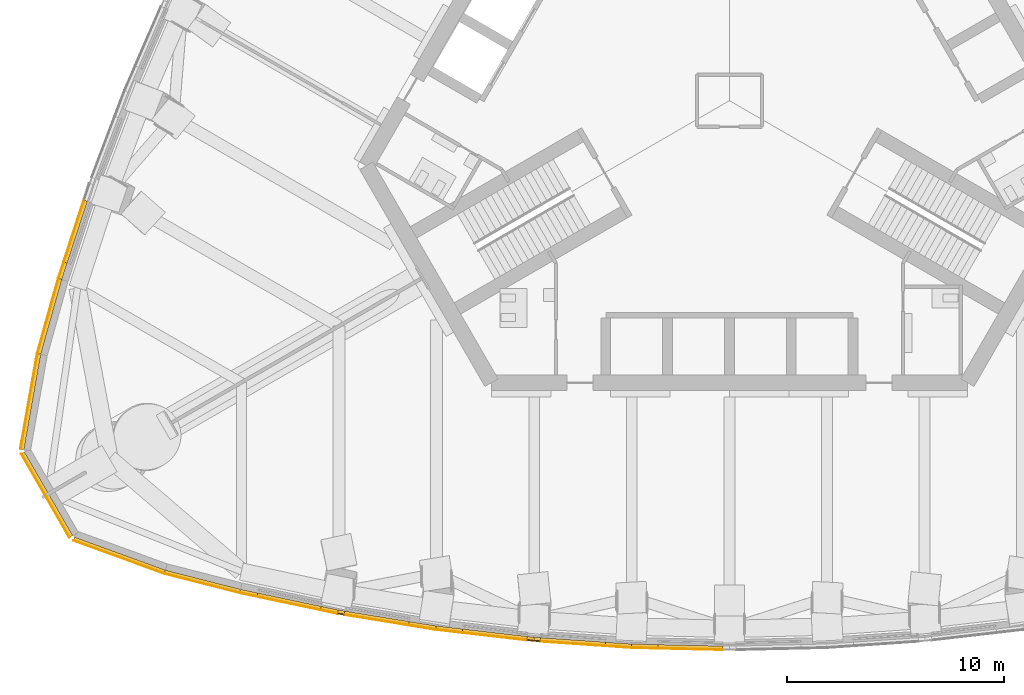
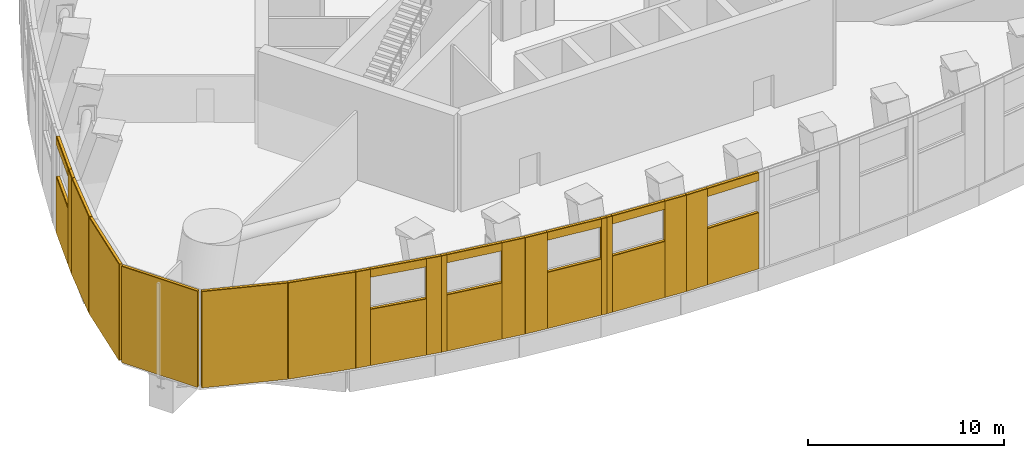
# One storey, part 11 of 22: 54 coverings.
"""IFC4 building model written with IfcOpenShell, lengths in metres."""

from ifc_helpers import new_model, si_unit, direction, frame, origin, origin_2d, place, context, subcontext, project, spatial, rectangle, extrude, material, layer, layer_set, type_object, element, save


model = new_model("IFC4")

# Units and contexts
model_context = context("Model", 3, precision=1e-05, world=origin(), true_north=direction((0.0, 1.0)))
body_context = subcontext(model_context, "Body", "Model", "MODEL_VIEW")
ifc_project = project(units=[si_unit("LENGTHUNIT", "METRE"), si_unit("AREAUNIT", "SQUARE_METRE"), si_unit("VOLUMEUNIT", "CUBIC_METRE"), si_unit("PLANEANGLEUNIT", "RADIAN"), si_unit("MASSUNIT", "GRAM", prefix="KILO")], contexts=[model_context])

# Site, building, storey
site_placement = place(None, origin())
site = spatial("IfcSite", under=ifc_project, at=site_placement, CompositionType="ELEMENT")
building_placement = place(site_placement, origin())
building = spatial("IfcBuilding", under=site, at=building_placement, Name="Trefoil Bronze Tower", CompositionType="ELEMENT")
storey_placement = place(building_placement, frame((0.0, 0.0, 265.300048828125)))
storey = spatial("IfcBuildingStorey", under=building, at=storey_placement, Name="L61", CompositionType="ELEMENT", Elevation=265.300048828125)

# Coverings
ifc_material_1 = material(Name="Bronze-finish aluminium rainscreen panel on aluminium rails", Category="aluminium")
ifc_layer_1 = layer(ifc_material_1, 0.0400390625)
ifc_layer_set_1 = layer_set([ifc_layer_1], Name="Bronze cladding panel 40")
covering_type_1 = type_object("IfcCoveringType", Name="Bronze cladding panel 40", PredefinedType="CLADDING", material=ifc_layer_set_1)
covering_1_placement = place(storey_placement, frame((-24.3056640625, -22.25146484375, 0.0), z_axis=(0.0, 0.0, 1.0), x_axis=(0.968934035402, -0.247319297752, 0.0)))
element("IfcCovering", 1, at=covering_1_placement, inside=storey, type_object=covering_type_1, Name="Cladding panel L61 Face 1.1 piece 1", PredefinedType="CLADDING", context=body_context, shape_type="SweptSolid", body=[
    extrude(rectangle(XDim=3.563720703125, YDim=0.0400390625, at=origin_2d()), origin(), (0.0, 0.0, 1.0), 6.0),
])
for number, where, z_axis, x_axis, name in (
    (2, (-22.175048828125, -22.77783203125, 0.0), (0.0, 0.0, 1.0), (0.97839433593, -0.206747487096, 0.0), "Cladding panel L61 Face 1.2 piece 1"),
    (3, (-18.457275390625, -23.563232421875, 0.0), (0.0, 0.0, 1.0), (0.97839433593, -0.206747487096, 0.0), "Cladding panel L61 Face 1.2 piece 2"),
):
    element("IfcCovering", number, at=place(storey_placement, frame(where, z_axis=z_axis, x_axis=x_axis)), inside=storey, type_object=covering_type_1, Name=name, PredefinedType="CLADDING", context=body_context, shape_type="SweptSolid", body=[
        extrude(rectangle(XDim=0.7998046875, YDim=0.0400390625, at=origin_2d()), origin(), (0.0, 0.0, 1.0), 6.0),
    ])
covering_2_placement = place(storey_placement, frame((-20.316162109375, -23.170654296875, 0.0), z_axis=(0.0, 0.0, 1.0), x_axis=(0.97839433593, -0.206747487096, 0.0)))
element("IfcCovering", 4, at=covering_2_placement, inside=storey, type_object=covering_type_1, Name="Cladding panel L61 Face 1.2 piece 3", PredefinedType="CLADDING", context=body_context, shape_type="SweptSolid", body=[
    extrude(rectangle(XDim=3.0, YDim=0.0400390625, at=origin_2d()), origin(), (0.0, 0.0, 1.0), 3.5),
])
covering_3_placement = place(storey_placement, frame((-20.316162109375, -23.170654296875, 5.5), z_axis=(0.0, 0.0, 1.0), x_axis=(0.97839433593, -0.206747487096, 0.0)))
element("IfcCovering", 5, at=covering_3_placement, inside=storey, type_object=covering_type_1, Name="Cladding panel L61 Face 1.2 piece 4", PredefinedType="CLADDING", context=body_context, shape_type="SweptSolid", body=[
    extrude(rectangle(XDim=3.0, YDim=0.0400390625, at=origin_2d()), origin(), (0.0, 0.0, 1.0), 0.5),
])
covering_4_placement = place(storey_placement, frame((-17.9033203125, -23.6728515625, 0.0), z_axis=(0.0, 0.0, 1.0), x_axis=(0.986986549525, -0.160802832865, 0.0)))
element("IfcCovering", 6, at=covering_4_placement, inside=storey, type_object=covering_type_1, Name="Cladding panel L61 Face 1.3 piece 1", PredefinedType="CLADDING", context=body_context, shape_type="SweptSolid", body=[
    extrude(rectangle(XDim=0.300048828125, YDim=0.0400390625, at=origin_2d()), origin(), (0.0, 0.0, 1.0), 6.0),
])
covering_5_placement = place(storey_placement, frame((-14.1728515625, -24.28076171875, 0.0), z_axis=(0.0, 0.0, 1.0), x_axis=(0.986986549525, -0.160802832865, 0.0)))
element("IfcCovering", 7, at=covering_5_placement, inside=storey, type_object=covering_type_1, Name="Cladding panel L61 Face 1.3 piece 2", PredefinedType="CLADDING", context=body_context, shape_type="SweptSolid", body=[
    extrude(rectangle(XDim=1.25927734375, YDim=0.0400390625, at=origin_2d()), origin(), (0.0, 0.0, 1.0), 6.0),
])
covering_6_placement = place(storey_placement, frame((-16.27490234375, -23.938232421875, 0.0), z_axis=(0.0, 0.0, 1.0), x_axis=(0.986986549525, -0.160802832865, 0.0)))
element("IfcCovering", 8, at=covering_6_placement, inside=storey, type_object=covering_type_1, Name="Cladding panel L61 Face 1.3 piece 3", PredefinedType="CLADDING", context=body_context, shape_type="SweptSolid", body=[
    extrude(rectangle(XDim=3.0, YDim=0.0400390625, at=origin_2d()), origin(), (0.0, 0.0, 1.0), 3.5),
])
covering_7_placement = place(storey_placement, frame((-16.27490234375, -23.938232421875, 5.5), z_axis=(0.0, 0.0, 1.0), x_axis=(0.986986549525, -0.160802832865, 0.0)))
element("IfcCovering", 9, at=covering_7_placement, inside=storey, type_object=covering_type_1, Name="Cladding panel L61 Face 1.3 piece 4", PredefinedType="CLADDING", context=body_context, shape_type="SweptSolid", body=[
    extrude(rectangle(XDim=3.0, YDim=0.0400390625, at=origin_2d()), origin(), (0.0, 0.0, 1.0), 0.5),
])
covering_8_placement = place(storey_placement, frame((-12.92578125, -24.45458984375, 0.0), z_axis=(0.0, 0.0, 1.0), x_axis=(0.993381831721, -0.114858767216, 0.0)))
element("IfcCovering", 10, at=covering_8_placement, inside=storey, type_object=covering_type_1, Name="Cladding panel L61 Face 1.4 piece 1", PredefinedType="CLADDING", context=body_context, shape_type="SweptSolid", body=[
    extrude(rectangle(XDim=1.22998046875, YDim=0.0400390625, at=origin_2d()), origin(), (0.0, 0.0, 1.0), 6.0),
])
covering_9_placement = place(storey_placement, frame((-9.185791015625, -24.886962890625, 0.0), z_axis=(0.0, 0.0, 1.0), x_axis=(0.993381831721, -0.114858767216, 0.0)))
element("IfcCovering", 11, at=covering_9_placement, inside=storey, type_object=covering_type_1, Name="Cladding panel L61 Face 1.4 piece 2", PredefinedType="CLADDING", context=body_context, shape_type="SweptSolid", body=[
    extrude(rectangle(XDim=0.300048828125, YDim=0.0400390625, at=origin_2d()), origin(), (0.0, 0.0, 1.0), 6.0),
])
covering_10_placement = place(storey_placement, frame((-10.824951171875, -24.697509765625, 0.0), z_axis=(0.0, 0.0, 1.0), x_axis=(0.993381831721, -0.114858767216, 0.0)))
element("IfcCovering", 12, at=covering_10_placement, inside=storey, type_object=covering_type_1, Name="Cladding panel L61 Face 1.4 piece 3", PredefinedType="CLADDING", context=body_context, shape_type="SweptSolid", body=[
    extrude(rectangle(XDim=3.0, YDim=0.0400390625, at=origin_2d()), origin(), (0.0, 0.0, 1.0), 3.5),
])
covering_11_placement = place(storey_placement, frame((-10.824951171875, -24.697509765625, 5.5), z_axis=(0.0, 0.0, 1.0), x_axis=(0.993381831721, -0.114858767216, 0.0)))
element("IfcCovering", 13, at=covering_11_placement, inside=storey, type_object=covering_type_1, Name="Cladding panel L61 Face 1.4 piece 4", PredefinedType="CLADDING", context=body_context, shape_type="SweptSolid", body=[
    extrude(rectangle(XDim=3.0, YDim=0.0400390625, at=origin_2d()), origin(), (0.0, 0.0, 1.0), 0.5),
])
covering_12_placement = place(storey_placement, frame((-8.872314453125, -24.916015625, 0.0), z_axis=(0.0, 0.0, 1.0), x_axis=(0.997622528046, -0.068915103818, 0.0)))
element("IfcCovering", 14, at=covering_12_placement, inside=storey, type_object=covering_type_1, Name="Cladding panel L61 Face 1.5 piece 1", PredefinedType="CLADDING", context=body_context, shape_type="SweptSolid", body=[
    extrude(rectangle(XDim=0.300048828125, YDim=0.0400390625, at=origin_2d()), origin(), (0.0, 0.0, 1.0), 6.0),
])
covering_13_placement = place(storey_placement, frame((-5.1259765625, -25.1748046875, 0.0), z_axis=(0.0, 0.0, 1.0), x_axis=(0.997622528046, -0.068915103818, 0.0)))
element("IfcCovering", 15, at=covering_13_placement, inside=storey, type_object=covering_type_1, Name="Cladding panel L61 Face 1.5 piece 2", PredefinedType="CLADDING", context=body_context, shape_type="SweptSolid", body=[
    extrude(rectangle(XDim=1.210693359375, YDim=0.0400390625, at=origin_2d()), origin(), (0.0, 0.0, 1.0), 6.0),
])
covering_14_placement = place(storey_placement, frame((-7.226318359375, -25.02978515625, 0.0), z_axis=(0.0, 0.0, 1.0), x_axis=(0.997622528046, -0.068915103818, 0.0)))
element("IfcCovering", 16, at=covering_14_placement, inside=storey, type_object=covering_type_1, Name="Cladding panel L61 Face 1.5 piece 3", PredefinedType="CLADDING", context=body_context, shape_type="SweptSolid", body=[
    extrude(rectangle(XDim=3.0, YDim=0.0400390625, at=origin_2d()), origin(), (0.0, 0.0, 1.0), 3.5),
])
covering_15_placement = place(storey_placement, frame((-7.226318359375, -25.02978515625, 5.5), z_axis=(0.0, 0.0, 1.0), x_axis=(0.997622528046, -0.068915103818, 0.0)))
element("IfcCovering", 17, at=covering_15_placement, inside=storey, type_object=covering_type_1, Name="Cladding panel L61 Face 1.5 piece 4", PredefinedType="CLADDING", context=body_context, shape_type="SweptSolid", body=[
    extrude(rectangle(XDim=3.0, YDim=0.0400390625, at=origin_2d()), origin(), (0.0, 0.0, 1.0), 0.5),
])
covering_16_placement = place(storey_placement, frame((-3.906982421875, -25.23095703125, 0.0), z_axis=(0.0, 0.0, 1.0), x_axis=(0.999736116241, -0.022971675665, 0.0)))
element("IfcCovering", 18, at=covering_16_placement, inside=storey, type_object=covering_type_1, Name="Cladding panel L61 Face 1.6 piece 1", PredefinedType="CLADDING", context=body_context, shape_type="SweptSolid", body=[
    extrude(rectangle(XDim=1.201171875, YDim=0.0400390625, at=origin_2d()), origin(), (0.0, 0.0, 1.0), 6.0),
])
covering_17_placement = place(storey_placement, frame((-1.806884765625, -25.279296875, 0.0), z_axis=(0.0, 0.0, 1.0), x_axis=(0.999736116241, -0.022971675665, 0.0)))
element("IfcCovering", 19, at=covering_17_placement, inside=storey, type_object=covering_type_1, Name="Cladding panel L61 Face 1.6 piece 3", PredefinedType="CLADDING", context=body_context, shape_type="SweptSolid", body=[
    extrude(rectangle(XDim=3.0, YDim=0.0400390625, at=origin_2d()), origin(), (0.0, 0.0, 1.0), 3.5),
])
covering_18_placement = place(storey_placement, frame((-1.806884765625, -25.279296875, 5.5), z_axis=(0.0, 0.0, 1.0), x_axis=(0.999736116241, -0.022971675665, 0.0)))
element("IfcCovering", 20, at=covering_18_placement, inside=storey, type_object=covering_type_1, Name="Cladding panel L61 Face 1.6 piece 4", PredefinedType="CLADDING", context=body_context, shape_type="SweptSolid", body=[
    extrude(rectangle(XDim=3.0, YDim=0.0400390625, at=origin_2d()), origin(), (0.0, 0.0, 1.0), 0.5),
])
covering_19_placement = place(storey_placement, frame((-30.8134765625, -7.815185546875, 0.0), z_axis=(0.0, 0.0, 1.0), x_axis=(-0.310148591987, -0.950688093377, 0.0)))
element("IfcCovering", 21, at=covering_19_placement, inside=storey, type_object=covering_type_1, Name="Cladding panel L61 Face 3.11 piece 2", PredefinedType="CLADDING", context=body_context, shape_type="SweptSolid", body=[
    extrude(rectangle(XDim=0.7998046875, YDim=0.0400390625, at=origin_2d()), origin(), (0.0, 0.0, 1.0), 6.0),
])
covering_20_placement = place(storey_placement, frame((-30.224365234375, -6.009033203125, 0.0), z_axis=(0.0, 0.0, 1.0), x_axis=(-0.310148591987, -0.950688093377, 0.0)))
element("IfcCovering", 22, at=covering_20_placement, inside=storey, type_object=covering_type_1, Name="Cladding panel L61 Face 3.11 piece 3", PredefinedType="CLADDING", context=body_context, shape_type="SweptSolid", body=[
    extrude(rectangle(XDim=3.0, YDim=0.0400390625, at=origin_2d()), origin(), (0.0, 0.0, 1.0), 3.5),
])
covering_21_placement = place(storey_placement, frame((-30.224365234375, -6.009033203125, 5.5), z_axis=(0.0, 0.0, 1.0), x_axis=(-0.310148591987, -0.950688093377, 0.0)))
element("IfcCovering", 23, at=covering_21_placement, inside=storey, type_object=covering_type_1, Name="Cladding panel L61 Face 3.11 piece 4", PredefinedType="CLADDING", context=body_context, shape_type="SweptSolid", body=[
    extrude(rectangle(XDim=3.0, YDim=0.0400390625, at=origin_2d()), origin(), (0.0, 0.0, 1.0), 0.5),
])
covering_22_placement = place(storey_placement, frame((-31.423095703125, -9.923583984375, 0.0), z_axis=(0.0, 0.0, 1.0), x_axis=(-0.270282222985, -0.96278113813, 0.0)))
element("IfcCovering", 24, at=covering_22_placement, inside=storey, type_object=covering_type_1, Name="Cladding panel L61 Face 3.12 piece 1", PredefinedType="CLADDING", context=body_context, shape_type="SweptSolid", body=[
    extrude(rectangle(XDim=3.563720703125, YDim=0.0400390625, at=origin_2d()), origin(), (0.0, 0.0, 1.0), 6.0),
])
for number, where, z_axis, x_axis, name in (
    (25, (-32.298828125, -13.864990234375, 0.0), (0.0, 0.0, 1.0), (-0.173648177512, -0.984807753039, 0.0), "Cladding panel L61 Corner 3.1 piece 1"),
    (26, (-31.533447265625, -18.205810546875, 0.0), (0.0, 0.0, 1.0), (0.499999999894, -0.866025403846, 0.0), "Cladding panel L61 Corner 3.2 piece 1"),
    (27, (-28.15673828125, -21.0390625, 0.0), (0.0, 0.0, 1.0), (0.939692620792, -0.342020143309, 0.0), "Cladding panel L61 Corner 3.3 piece 1"),
):
    element("IfcCovering", number, at=place(storey_placement, frame(where, z_axis=z_axis, x_axis=x_axis)), inside=storey, type_object=covering_type_1, Name=name, PredefinedType="CLADDING", context=body_context, shape_type="SweptSolid", body=[
        extrude(rectangle(XDim=4.457763671875, YDim=0.0400390625, at=origin_2d()), origin(), (0.0, 0.0, 1.0), 6.0),
    ])
ifc_material_2 = material(Name="Non-combustible mineral wool slab", Category="insulation")
ifc_layer_2 = layer(ifc_material_2, 0.14990234375)
ifc_layer_set_2 = layer_set([ifc_layer_2], Name="Rainscreen insulation 150")
covering_type_2 = type_object("IfcCoveringType", Name="Rainscreen insulation 150", PredefinedType="INSULATION", material=ifc_layer_set_2)
covering_23_placement = place(storey_placement, frame((-24.2822265625, -22.159423828125, 0.0), z_axis=(0.0, 0.0, 1.0), x_axis=(0.968934035402, -0.247319297752, 0.0)))
element("IfcCovering", 28, at=covering_23_placement, inside=storey, type_object=covering_type_2, Name="Insulation L61 Face 1.1 piece 1", PredefinedType="INSULATION", context=body_context, shape_type="SweptSolid", body=[
    extrude(rectangle(XDim=3.563720703125, YDim=0.14990234375, at=origin_2d()), origin(), (0.0, 0.0, 1.0), 6.0),
])
for number, where, z_axis, x_axis, name in (
    (29, (-22.1552734375, -22.684814453125, 0.0), (0.0, 0.0, 1.0), (0.97839433593, -0.206747487096, 0.0), "Insulation L61 Face 1.2 piece 1"),
    (30, (-18.437744140625, -23.470458984375, 0.0), (0.0, 0.0, 1.0), (0.97839433593, -0.206747487096, 0.0), "Insulation L61 Face 1.2 piece 2"),
):
    element("IfcCovering", number, at=place(storey_placement, frame(where, z_axis=z_axis, x_axis=x_axis)), inside=storey, type_object=covering_type_2, Name=name, PredefinedType="INSULATION", context=body_context, shape_type="SweptSolid", body=[
        extrude(rectangle(XDim=0.7998046875, YDim=0.14990234375, at=origin_2d()), origin(), (0.0, 0.0, 1.0), 6.0),
    ])
covering_24_placement = place(storey_placement, frame((-20.296630859375, -23.07763671875, 0.0), z_axis=(0.0, 0.0, 1.0), x_axis=(0.97839433593, -0.206747487096, 0.0)))
element("IfcCovering", 31, at=covering_24_placement, inside=storey, type_object=covering_type_2, Name="Insulation L61 Face 1.2 piece 3", PredefinedType="INSULATION", context=body_context, shape_type="SweptSolid", body=[
    extrude(rectangle(XDim=3.0, YDim=0.14990234375, at=origin_2d()), origin(), (0.0, 0.0, 1.0), 3.5),
])
covering_25_placement = place(storey_placement, frame((-20.296630859375, -23.07763671875, 5.5), z_axis=(0.0, 0.0, 1.0), x_axis=(0.97839433593, -0.206747487096, 0.0)))
element("IfcCovering", 32, at=covering_25_placement, inside=storey, type_object=covering_type_2, Name="Insulation L61 Face 1.2 piece 4", PredefinedType="INSULATION", context=body_context, shape_type="SweptSolid", body=[
    extrude(rectangle(XDim=3.0, YDim=0.14990234375, at=origin_2d()), origin(), (0.0, 0.0, 1.0), 0.5),
])
covering_26_placement = place(storey_placement, frame((-17.88818359375, -23.5791015625, 0.0), z_axis=(0.0, 0.0, 1.0), x_axis=(0.986986549525, -0.160802832865, 0.0)))
element("IfcCovering", 33, at=covering_26_placement, inside=storey, type_object=covering_type_2, Name="Insulation L61 Face 1.3 piece 1", PredefinedType="INSULATION", context=body_context, shape_type="SweptSolid", body=[
    extrude(rectangle(XDim=0.300048828125, YDim=0.14990234375, at=origin_2d()), origin(), (0.0, 0.0, 1.0), 6.0),
])
covering_27_placement = place(storey_placement, frame((-14.15771484375, -24.18701171875, 0.0), z_axis=(0.0, 0.0, 1.0), x_axis=(0.986986549525, -0.160802832865, 0.0)))
element("IfcCovering", 34, at=covering_27_placement, inside=storey, type_object=covering_type_2, Name="Insulation L61 Face 1.3 piece 2", PredefinedType="INSULATION", context=body_context, shape_type="SweptSolid", body=[
    extrude(rectangle(XDim=1.25927734375, YDim=0.14990234375, at=origin_2d()), origin(), (0.0, 0.0, 1.0), 6.0),
])
covering_28_placement = place(storey_placement, frame((-16.259521484375, -23.844482421875, 0.0), z_axis=(0.0, 0.0, 1.0), x_axis=(0.986986549525, -0.160802832865, 0.0)))
element("IfcCovering", 35, at=covering_28_placement, inside=storey, type_object=covering_type_2, Name="Insulation L61 Face 1.3 piece 3", PredefinedType="INSULATION", context=body_context, shape_type="SweptSolid", body=[
    extrude(rectangle(XDim=3.0, YDim=0.14990234375, at=origin_2d()), origin(), (0.0, 0.0, 1.0), 3.5),
])
covering_29_placement = place(storey_placement, frame((-16.259521484375, -23.844482421875, 5.5), z_axis=(0.0, 0.0, 1.0), x_axis=(0.986986549525, -0.160802832865, 0.0)))
element("IfcCovering", 36, at=covering_29_placement, inside=storey, type_object=covering_type_2, Name="Insulation L61 Face 1.3 piece 4", PredefinedType="INSULATION", context=body_context, shape_type="SweptSolid", body=[
    extrude(rectangle(XDim=3.0, YDim=0.14990234375, at=origin_2d()), origin(), (0.0, 0.0, 1.0), 0.5),
])
covering_30_placement = place(storey_placement, frame((-12.9150390625, -24.360107421875, 0.0), z_axis=(0.0, 0.0, 1.0), x_axis=(0.993381831721, -0.114858767216, 0.0)))
element("IfcCovering", 37, at=covering_30_placement, inside=storey, type_object=covering_type_2, Name="Insulation L61 Face 1.4 piece 1", PredefinedType="INSULATION", context=body_context, shape_type="SweptSolid", body=[
    extrude(rectangle(XDim=1.22998046875, YDim=0.14990234375, at=origin_2d()), origin(), (0.0, 0.0, 1.0), 6.0),
])
covering_31_placement = place(storey_placement, frame((-9.1748046875, -24.792724609375, 0.0), z_axis=(0.0, 0.0, 1.0), x_axis=(0.993381831721, -0.114858767216, 0.0)))
element("IfcCovering", 38, at=covering_31_placement, inside=storey, type_object=covering_type_2, Name="Insulation L61 Face 1.4 piece 2", PredefinedType="INSULATION", context=body_context, shape_type="SweptSolid", body=[
    extrude(rectangle(XDim=0.300048828125, YDim=0.14990234375, at=origin_2d()), origin(), (0.0, 0.0, 1.0), 6.0),
])
covering_32_placement = place(storey_placement, frame((-10.81396484375, -24.60302734375, 0.0), z_axis=(0.0, 0.0, 1.0), x_axis=(0.993381831721, -0.114858767216, 0.0)))
element("IfcCovering", 39, at=covering_32_placement, inside=storey, type_object=covering_type_2, Name="Insulation L61 Face 1.4 piece 3", PredefinedType="INSULATION", context=body_context, shape_type="SweptSolid", body=[
    extrude(rectangle(XDim=3.0, YDim=0.14990234375, at=origin_2d()), origin(), (0.0, 0.0, 1.0), 3.5),
])
covering_33_placement = place(storey_placement, frame((-10.81396484375, -24.60302734375, 5.5), z_axis=(0.0, 0.0, 1.0), x_axis=(0.993381831721, -0.114858767216, 0.0)))
element("IfcCovering", 40, at=covering_33_placement, inside=storey, type_object=covering_type_2, Name="Insulation L61 Face 1.4 piece 4", PredefinedType="INSULATION", context=body_context, shape_type="SweptSolid", body=[
    extrude(rectangle(XDim=3.0, YDim=0.14990234375, at=origin_2d()), origin(), (0.0, 0.0, 1.0), 0.5),
])
covering_34_placement = place(storey_placement, frame((-8.865966796875, -24.8212890625, 0.0), z_axis=(0.0, 0.0, 1.0), x_axis=(0.997622528046, -0.068915103818, 0.0)))
element("IfcCovering", 41, at=covering_34_placement, inside=storey, type_object=covering_type_2, Name="Insulation L61 Face 1.5 piece 1", PredefinedType="INSULATION", context=body_context, shape_type="SweptSolid", body=[
    extrude(rectangle(XDim=0.300048828125, YDim=0.14990234375, at=origin_2d()), origin(), (0.0, 0.0, 1.0), 6.0),
])
covering_35_placement = place(storey_placement, frame((-5.119384765625, -25.080078125, 0.0), z_axis=(0.0, 0.0, 1.0), x_axis=(0.997622528046, -0.068915103818, 0.0)))
element("IfcCovering", 42, at=covering_35_placement, inside=storey, type_object=covering_type_2, Name="Insulation L61 Face 1.5 piece 2", PredefinedType="INSULATION", context=body_context, shape_type="SweptSolid", body=[
    extrude(rectangle(XDim=1.210693359375, YDim=0.14990234375, at=origin_2d()), origin(), (0.0, 0.0, 1.0), 6.0),
])
covering_36_placement = place(storey_placement, frame((-7.2197265625, -24.934814453125, 0.0), z_axis=(0.0, 0.0, 1.0), x_axis=(0.997622528046, -0.068915103818, 0.0)))
element("IfcCovering", 43, at=covering_36_placement, inside=storey, type_object=covering_type_2, Name="Insulation L61 Face 1.5 piece 3", PredefinedType="INSULATION", context=body_context, shape_type="SweptSolid", body=[
    extrude(rectangle(XDim=3.0, YDim=0.14990234375, at=origin_2d()), origin(), (0.0, 0.0, 1.0), 3.5),
])
covering_37_placement = place(storey_placement, frame((-7.2197265625, -24.934814453125, 5.5), z_axis=(0.0, 0.0, 1.0), x_axis=(0.997622528046, -0.068915103818, 0.0)))
element("IfcCovering", 44, at=covering_37_placement, inside=storey, type_object=covering_type_2, Name="Insulation L61 Face 1.5 piece 4", PredefinedType="INSULATION", context=body_context, shape_type="SweptSolid", body=[
    extrude(rectangle(XDim=3.0, YDim=0.14990234375, at=origin_2d()), origin(), (0.0, 0.0, 1.0), 0.5),
])
covering_38_placement = place(storey_placement, frame((-3.90478515625, -25.135986328125, 0.0), z_axis=(0.0, 0.0, 1.0), x_axis=(0.999736116241, -0.022971675665, 0.0)))
element("IfcCovering", 45, at=covering_38_placement, inside=storey, type_object=covering_type_2, Name="Insulation L61 Face 1.6 piece 1", PredefinedType="INSULATION", context=body_context, shape_type="SweptSolid", body=[
    extrude(rectangle(XDim=1.201171875, YDim=0.14990234375, at=origin_2d()), origin(), (0.0, 0.0, 1.0), 6.0),
])
covering_39_placement = place(storey_placement, frame((-1.8046875, -25.184326171875, 0.0), z_axis=(0.0, 0.0, 1.0), x_axis=(0.999736116241, -0.022971675665, 0.0)))
element("IfcCovering", 46, at=covering_39_placement, inside=storey, type_object=covering_type_2, Name="Insulation L61 Face 1.6 piece 3", PredefinedType="INSULATION", context=body_context, shape_type="SweptSolid", body=[
    extrude(rectangle(XDim=3.0, YDim=0.14990234375, at=origin_2d()), origin(), (0.0, 0.0, 1.0), 3.5),
])
covering_40_placement = place(storey_placement, frame((-1.8046875, -25.184326171875, 5.5), z_axis=(0.0, 0.0, 1.0), x_axis=(0.999736116241, -0.022971675665, 0.0)))
element("IfcCovering", 47, at=covering_40_placement, inside=storey, type_object=covering_type_2, Name="Insulation L61 Face 1.6 piece 4", PredefinedType="INSULATION", context=body_context, shape_type="SweptSolid", body=[
    extrude(rectangle(XDim=3.0, YDim=0.14990234375, at=origin_2d()), origin(), (0.0, 0.0, 1.0), 0.5),
])
covering_41_placement = place(storey_placement, frame((-30.723388671875, -7.8447265625, 0.0), z_axis=(0.0, 0.0, 1.0), x_axis=(-0.310148591987, -0.950688093377, 0.0)))
element("IfcCovering", 48, at=covering_41_placement, inside=storey, type_object=covering_type_2, Name="Insulation L61 Face 3.11 piece 2", PredefinedType="INSULATION", context=body_context, shape_type="SweptSolid", body=[
    extrude(rectangle(XDim=0.7998046875, YDim=0.14990234375, at=origin_2d()), origin(), (0.0, 0.0, 1.0), 6.0),
])
covering_42_placement = place(storey_placement, frame((-30.134033203125, -6.03857421875, 0.0), z_axis=(0.0, 0.0, 1.0), x_axis=(-0.310148591987, -0.950688093377, 0.0)))
element("IfcCovering", 49, at=covering_42_placement, inside=storey, type_object=covering_type_2, Name="Insulation L61 Face 3.11 piece 3", PredefinedType="INSULATION", context=body_context, shape_type="SweptSolid", body=[
    extrude(rectangle(XDim=3.0, YDim=0.14990234375, at=origin_2d()), origin(), (0.0, 0.0, 1.0), 3.5),
])
covering_43_placement = place(storey_placement, frame((-30.134033203125, -6.03857421875, 5.5), z_axis=(0.0, 0.0, 1.0), x_axis=(-0.310148591987, -0.950688093377, 0.0)))
element("IfcCovering", 50, at=covering_43_placement, inside=storey, type_object=covering_type_2, Name="Insulation L61 Face 3.11 piece 4", PredefinedType="INSULATION", context=body_context, shape_type="SweptSolid", body=[
    extrude(rectangle(XDim=3.0, YDim=0.14990234375, at=origin_2d()), origin(), (0.0, 0.0, 1.0), 0.5),
])
covering_44_placement = place(storey_placement, frame((-31.33154296875, -9.94921875, 0.0), z_axis=(0.0, 0.0, 1.0), x_axis=(-0.270282222985, -0.96278113813, 0.0)))
element("IfcCovering", 51, at=covering_44_placement, inside=storey, type_object=covering_type_2, Name="Insulation L61 Face 3.12 piece 1", PredefinedType="INSULATION", context=body_context, shape_type="SweptSolid", body=[
    extrude(rectangle(XDim=3.563720703125, YDim=0.14990234375, at=origin_2d()), origin(), (0.0, 0.0, 1.0), 6.0),
])
for number, where, z_axis, x_axis, name in (
    (52, (-32.205322265625, -13.881591796875, 0.0), (0.0, 0.0, 1.0), (-0.173648177512, -0.984807753039, 0.0), "Insulation L61 Corner 3.1 piece 1"),
    (53, (-31.451171875, -18.158203125, 0.0), (0.0, 0.0, 1.0), (0.499999999894, -0.866025403846, 0.0), "Insulation L61 Corner 3.2 piece 1"),
    (54, (-28.124267578125, -20.94970703125, 0.0), (0.0, 0.0, 1.0), (0.939692620792, -0.342020143309, 0.0), "Insulation L61 Corner 3.3 piece 1"),
):
    element("IfcCovering", number, at=place(storey_placement, frame(where, z_axis=z_axis, x_axis=x_axis)), inside=storey, type_object=covering_type_2, Name=name, PredefinedType="INSULATION", context=body_context, shape_type="SweptSolid", body=[
        extrude(rectangle(XDim=4.457763671875, YDim=0.14990234375, at=origin_2d()), origin(), (0.0, 0.0, 1.0), 6.0),
    ])

save(model, "model.ifc")
